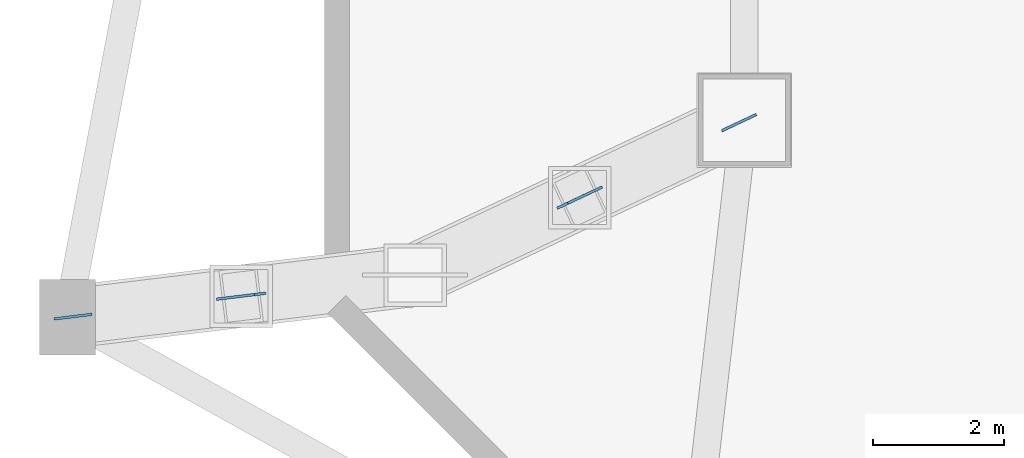
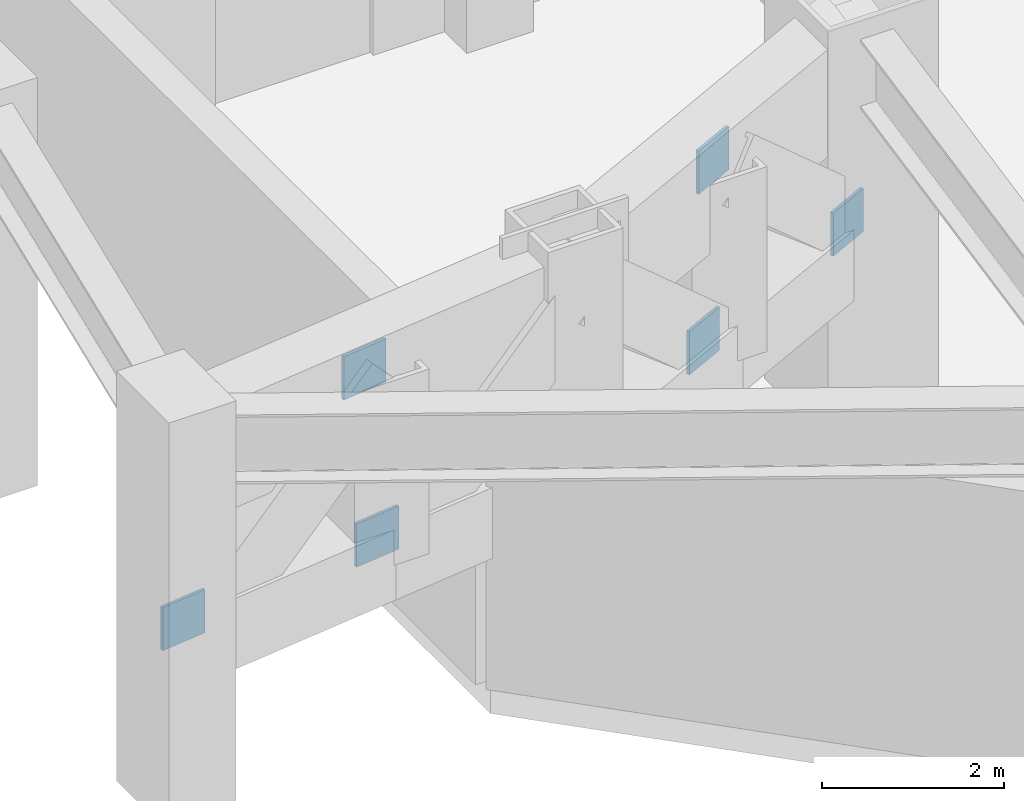
# One storey, part 3 of 9: 6 plates.
"""IFC4 building model written with IfcOpenShell, lengths in metres."""

from ifc_helpers import new_model, si_unit, direction, frame, origin, origin_2d, place, context, subcontext, project, spatial, rectangle, extrude, source, transform, mapped, material, layer, layer_set, type_object, element, save


model = new_model("IFC4")

# Units and contexts
model_context = context("Model", 3, precision=1e-05, world=origin(), true_north=direction((0.0, 1.0)))
body_context = subcontext(model_context, "Body", "Model", "MODEL_VIEW")
ifc_project = project(units=[si_unit("LENGTHUNIT", "METRE"), si_unit("AREAUNIT", "SQUARE_METRE"), si_unit("VOLUMEUNIT", "CUBIC_METRE"), si_unit("PLANEANGLEUNIT", "RADIAN"), si_unit("MASSUNIT", "GRAM", prefix="KILO")], contexts=[model_context])

# Site, building, storey
site_placement = place(None, origin())
site = spatial("IfcSite", under=ifc_project, at=site_placement, CompositionType="ELEMENT")
building_placement = place(site_placement, origin())
building = spatial("IfcBuilding", under=site, at=building_placement, Name="Varnakhor Terracotta Tower", CompositionType="ELEMENT")
storey_placement = place(building_placement, frame((0.0, 0.0, 22.0)))
storey = spatial("IfcBuildingStorey", under=building, at=storey_placement, Name="L04", CompositionType="ELEMENT", Elevation=22.0)

# Plates
ifc_material = material(Name="Steel S460", Category="steel")
ifc_layer = layer(ifc_material, 0.06005859375, Name="Steel S460")
ifc_layer_set = layer_set([ifc_layer], Name="Steel S460")
plate_type = type_object("IfcPlateType", Name="PLT-GUSSET-60", PredefinedType="USERDEFINED", material=ifc_layer_set)
shared_shape = source(origin(), body_context, "Body", "SweptSolid", [
    extrude(rectangle(XDim=0.580078125, YDim=0.0400390625, at=origin_2d()), origin(), (0.0, 0.0, 1.0), 0.580078125),
])
for number, where, z_axis, x_axis, name in (
    (1, (-21.580810546875, 8.162109375, 2.0400390625), (0.0, 0.0, 1.0), (-0.904864205273, -0.425700328888, 0.0), "L04 Brace End Connection Plate 22"),
    (2, (-23.923828125, 7.0595703125, 4.35986328125), (0.0, 0.0, 1.0), (-0.904864205273, -0.425700328888, 0.0), "L04 Brace End Connection Plate 23"),
    (3, (-24.085693359375, 6.983642578125, 2.0400390625), (0.0, 0.0, 1.0), (-0.904871635008, -0.425684535963, 0.0), "L04 Brace End Connection Plate 24"),
    (4, (-31.712890625, 5.210693359375, 2.041748046875), (0.0, 0.0, 1.0), (0.992685876505, 0.120725931714, 0.0), "L04 Brace End Connection Plate 25"),
    (5, (-29.241943359375, 5.510986328125, 4.358154296875), (0.0, 0.0, 1.0), (0.992685876505, 0.120725931714, 0.0), "L04 Brace End Connection Plate 26"),
    (6, (-29.0673828125, 5.5322265625, 2.041748046875), (0.0, 0.0, 1.0), (0.99269009003, 0.120691280366, 0.0), "L04 Brace End Connection Plate 27"),
):
    element("IfcPlate", number, at=place(storey_placement, frame(where, z_axis=z_axis, x_axis=x_axis)), inside=storey, type_object=plate_type, Name=name, ObjectType="GUSSET PLATE", PredefinedType="USERDEFINED", context=body_context, shape_type="MappedRepresentation", body=[
        mapped(shared_shape, transform((0.0, 0.0, 0.0), scale=1.0)),
    ])

save(model, "model.ifc")
